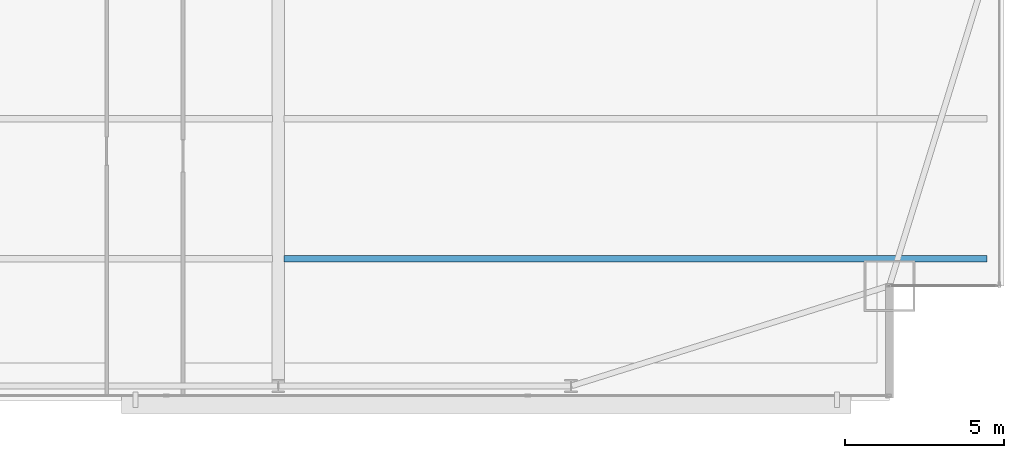
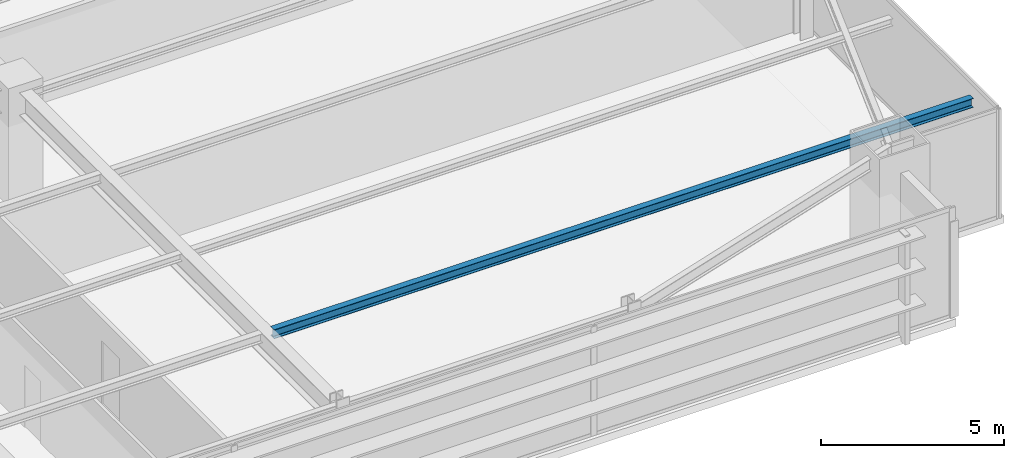
# One storey, part 15 of 30: 1 beam.
"""IFC4 building model written with IfcOpenShell, lengths in metres."""

from ifc_helpers import new_model, si_unit, direction, frame, origin, origin_2d, place, context, subcontext, project, spatial, i_section, extrude, source, transform, mapped, material, material_profile, profile_set, type_object, type_shapes, element, save


model = new_model("IFC4")

# Units and contexts
model_context = context("Model", 3, precision=1e-05, world=origin(), true_north=direction((0.0, 1.0)))
body_context = subcontext(model_context, "Body", "Model", "MODEL_VIEW")
ifc_project = project(units=[si_unit("LENGTHUNIT", "METRE"), si_unit("AREAUNIT", "SQUARE_METRE"), si_unit("VOLUMEUNIT", "CUBIC_METRE"), si_unit("PLANEANGLEUNIT", "RADIAN"), si_unit("MASSUNIT", "GRAM", prefix="KILO")], contexts=[model_context])

# Site, building, storey
site_placement = place(None, origin())
site = spatial("IfcSite", under=ifc_project, at=site_placement, CompositionType="ELEMENT")
building_placement = place(site_placement, origin())
building = spatial("IfcBuilding", under=site, at=building_placement, Name="Varnel Quay Broadcast Tower", CompositionType="ELEMENT")
storey_placement = place(building_placement, frame((0.0, 0.0, 62.699951171875)))
storey = spatial("IfcBuildingStorey", under=building, at=storey_placement, Name="L14", CompositionType="ELEMENT", Elevation=62.699951171875)

# Beam
ifc_material = material(Name="Structural Steel CSA G40.21 350W", Category="steel")
ifc_material_profile = material_profile(ifc_material, i_section(OverallWidth=0.202880859375, OverallDepth=0.302978515625, WebThickness=0.007568359375, FlangeThickness=0.01318359375, FilletRadius=0.011962890625, at=origin_2d()), Name="W310X60")
ifc_profile_set = profile_set([ifc_material_profile], Name="Structural Steel CSA G40.21 350W")
beam_type = type_object("IfcBeamType", Name="Beam_W310X60", PredefinedType="JOIST", material=ifc_profile_set)
shared_shape = source(origin(), body_context, "Body", "SweptSolid", [
    extrude(i_section(OverallWidth=0.202880859375, OverallDepth=0.302978515625, WebThickness=0.007568359375, FlangeThickness=0.01318359375, FilletRadius=0.011962890625, at=origin_2d()), origin(), (0.0, 0.0, 1.0), 22.0791015625),
])
type_shapes(beam_type, [shared_shape])
beam_placement = place(storey_placement, frame((43.385498046875, 5.64990234375, 3.49853515625), z_axis=(1.0, 0.0, 0.0), x_axis=(0.0, 1.0, 0.0)))
element("IfcBeam", 1, at=beam_placement, inside=storey, type_object=beam_type, Name="L14 East Floor Joist 1", PredefinedType="JOIST", context=body_context, shape_type="MappedRepresentation", body=[
    mapped(shared_shape, transform((0.0, 0.0, 0.0), x_axis=(1.0, 0.0, 0.0), y_axis=(0.0, 1.0, 0.0), z_axis=(0.0, 0.0, 1.0), scale=1.0)),
])

save(model, "model.ifc")
